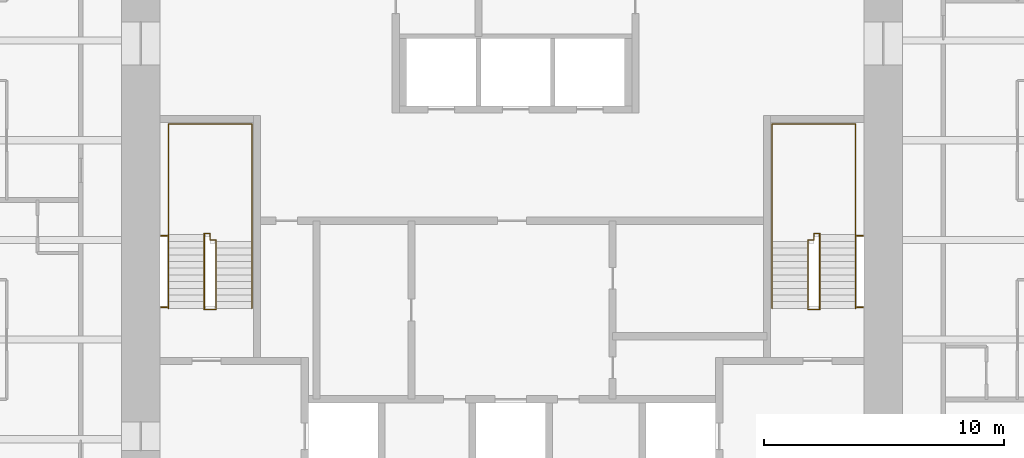
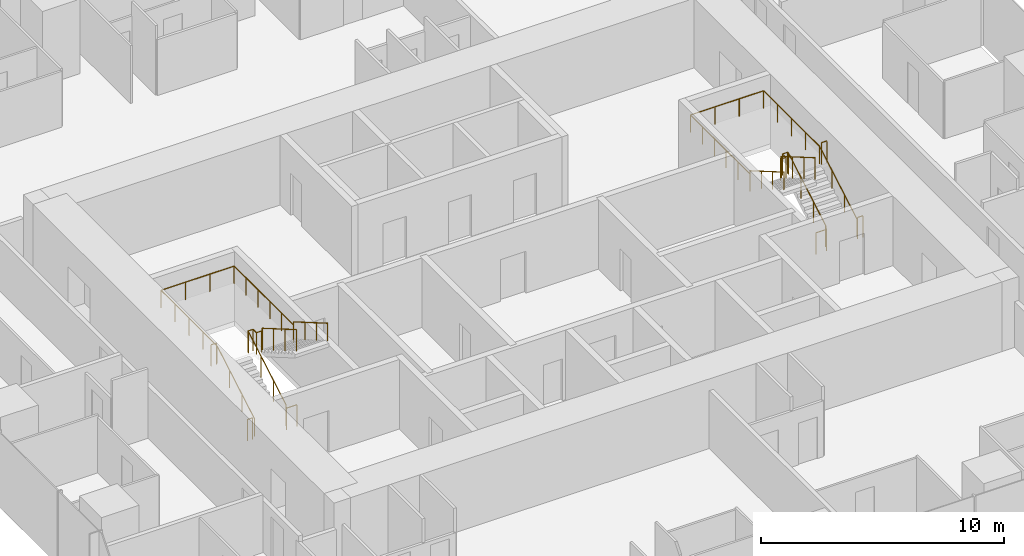
# One storey, part 13 of 13: 8 railings.
"""IFC4 building model written with IfcOpenShell, lengths in metres."""

from ifc_helpers import new_model, si_unit, direction, frame, origin, origin_2d, place, context, subcontext, project, spatial, circle, extrude, material, type_object, element, save


model = new_model("IFC4")

# Units and contexts
model_context = context("Model", 3, precision=1e-05, world=origin(), true_north=direction((0.0, 1.0)))
body_context = subcontext(model_context, "Body", "Model", "MODEL_VIEW")
ifc_project = project(units=[si_unit("LENGTHUNIT", "METRE"), si_unit("AREAUNIT", "SQUARE_METRE"), si_unit("VOLUMEUNIT", "CUBIC_METRE"), si_unit("PLANEANGLEUNIT", "RADIAN"), si_unit("MASSUNIT", "GRAM", prefix="KILO")], contexts=[model_context])

# Site, building, storey
site_placement = place(None, origin())
site = spatial("IfcSite", under=ifc_project, at=site_placement, CompositionType="ELEMENT")
building_placement = place(site_placement, origin())
building = spatial("IfcBuilding", under=site, at=building_placement, Name="Khuree Lantern Residences", CompositionType="ELEMENT")
storey_placement = place(building_placement, frame((0.0, 0.0, 252.0)))
storey = spatial("IfcBuildingStorey", under=building, at=storey_placement, Name="L63", CompositionType="ELEMENT", Elevation=252.0)

# Railings
ifc_material = material(Name="Steel S355", Category="steel")
railing_type_1 = type_object("IfcRailingType", Name="STAIR GUARD G1 1100", PredefinedType="GUARDRAIL", material=ifc_material)
railing_1_placement = place(storey_placement, frame((-12.35009765625, -2.909912109375, 0.0)))
element("IfcRailing", 1, at=railing_1_placement, inside=storey, type_object=railing_type_1, Name="Stair ST1 guard", PredefinedType="GUARDRAIL", context=body_context, shape_type="SweptSolid", body=[
    extrude(circle(Radius=0.02392578125, at=origin_2d()), frame((0.0, 0.0, 1.076171875), z_axis=(-1.0, 0.0, 0.0), x_axis=(0.0, -1.0, 0.0)), (0.0, 0.0, 1.0), 0.5),
    extrude(circle(Radius=0.02392578125, at=origin_2d()), frame((-0.5, 0.0, 1.076171875), z_axis=(0.0, 0.292073035251, 0.95639601739), x_axis=(-1.0, 0.0, 0.0)), (0.0, 0.0, 1.0), 0.17041015625),
    extrude(circle(Radius=0.02392578125, at=origin_2d()), frame((-0.5, 0.0498046875, 1.2392578125), z_axis=(0.0, 0.864176135923, 0.503189433615), x_axis=(-1.0, 0.0, 0.0)), (0.0, 0.0, 1.0), 3.564208984375),
    extrude(circle(Radius=0.02392578125, at=origin_2d()), frame((-0.5, 3.1298828125, 3.03271484375), z_axis=(0.0, 1.0, 0.0), x_axis=(-1.0, 0.0, 0.0)), (0.0, 0.0, 1.0), 0.050048828125),
    extrude(circle(Radius=0.02392578125, at=origin_2d()), frame((-0.5, 3.179931640625, 3.03271484375), z_axis=(1.0, 0.0, 0.0), x_axis=(0.0, 1.0, 0.0)), (0.0, 0.0, 1.0), 0.25),
    extrude(circle(Radius=0.02392578125, at=origin_2d()), frame((-0.25, 3.179931640625, 3.03271484375), z_axis=(0.0, -1.0, 0.0), x_axis=(1.0, 0.0, 0.0)), (0.0, 0.0, 1.0), 0.280029296875),
    extrude(circle(Radius=0.02392578125, at=origin_2d()), frame((-0.25, 2.89990234375, 3.03271484375), z_axis=(1.0, 0.0, 0.0), x_axis=(0.0, 1.0, 0.0)), (0.0, 0.0, 1.0), 0.25),
    extrude(circle(Radius=0.02392578125, at=origin_2d()), frame((0.0, 2.89990234375, 3.03271484375), z_axis=(0.0, -0.293381807449, 0.955995353053), x_axis=(1.0, 0.0, 0.0)), (0.0, 0.0, 1.0), 0.170654296875),
    extrude(circle(Radius=0.02392578125, at=origin_2d()), frame((0.0, 2.849853515625, 3.19580078125), z_axis=(0.0, -0.864180358799, 0.503182181189), x_axis=(1.0, 0.0, 0.0)), (0.0, 0.0, 1.0), 3.240234375),
    extrude(circle(Radius=0.02099609375, at=origin_2d()), origin(), (0.0, 0.0, 1.0), 1.052001953125),
    extrude(circle(Radius=0.02099609375, at=origin_2d()), frame((-0.5, 0.0, 0.0)), (0.0, 0.0, 1.0), 1.052001953125),
    extrude(circle(Radius=0.02099609375, at=origin_2d()), frame((-0.5, 0.0498046875, 0.1630859375)), (0.0, 0.0, 1.0), 1.052001953125),
    extrude(circle(Radius=0.02099609375, at=origin_2d()), frame((-0.5, 1.076416015625, 0.760986328125)), (0.0, 0.0, 1.0), 1.052001953125),
    extrude(circle(Radius=0.02099609375, at=origin_2d()), frame((-0.5, 2.103271484375, 1.358642578125)), (0.0, 0.0, 1.0), 1.052001953125),
    extrude(circle(Radius=0.02099609375, at=origin_2d()), frame((-0.5, 3.1298828125, 1.95654296875)), (0.0, 0.0, 1.0), 1.052001953125),
    extrude(circle(Radius=0.02099609375, at=origin_2d()), frame((-0.5, 3.179931640625, 1.95654296875)), (0.0, 0.0, 1.0), 1.052001953125),
    extrude(circle(Radius=0.02099609375, at=origin_2d()), frame((-0.25, 3.179931640625, 1.95654296875)), (0.0, 0.0, 1.0), 1.052001953125),
    extrude(circle(Radius=0.02099609375, at=origin_2d()), frame((-0.25, 2.89990234375, 1.95654296875)), (0.0, 0.0, 1.0), 1.052001953125),
    extrude(circle(Radius=0.02099609375, at=origin_2d()), frame((0.0, 2.89990234375, 1.95654296875)), (0.0, 0.0, 1.0), 1.052001953125),
    extrude(circle(Radius=0.02099609375, at=origin_2d()), frame((0.0, 2.849853515625, 2.11962890625)), (0.0, 0.0, 1.0), 1.052001953125),
    extrude(circle(Radius=0.02099609375, at=origin_2d()), frame((0.0, 1.91650390625, 2.6630859375)), (0.0, 0.0, 1.0), 1.052001953125),
    extrude(circle(Radius=0.02099609375, at=origin_2d()), frame((0.0, 0.983154296875, 3.20654296875)), (0.0, 0.0, 1.0), 1.052001953125),
    extrude(circle(Radius=0.02099609375, at=origin_2d()), frame((0.0, 0.0498046875, 3.75)), (0.0, 0.0, 1.0), 1.052001953125),
])
for number, where, name in (
    (2, (-14.64990234375, -2.81005859375, 0.0), "Stair ST1 landing slot guard"),
    (3, (-14.64990234375, 0.169921875, 1.95654296875), "Stair ST1 landing slot guard"),
):
    element("IfcRailing", number, at=place(storey_placement, frame(where)), inside=storey, type_object=railing_type_1, Name=name, PredefinedType="GUARDRAIL", context=body_context, shape_type="SweptSolid", body=[
        extrude(circle(Radius=0.02392578125, at=origin_2d()), frame((0.0, 0.0, 1.076171875), z_axis=(1.0, 0.0, 0.0), x_axis=(0.0, 1.0, 0.0)), (0.0, 0.0, 1.0), 0.25),
        extrude(circle(Radius=0.02099609375, at=origin_2d()), origin(), (0.0, 0.0, 1.0), 1.052001953125),
        extrude(circle(Radius=0.02099609375, at=origin_2d()), frame((0.25, 0.0, 0.0)), (0.0, 0.0, 1.0), 1.052001953125),
    ])
railing_2_placement = place(storey_placement, frame((12.35009765625, -2.909912109375, 0.0)))
element("IfcRailing", 4, at=railing_2_placement, inside=storey, type_object=railing_type_1, Name="Stair ST2 guard", PredefinedType="GUARDRAIL", context=body_context, shape_type="SweptSolid", body=[
    extrude(circle(Radius=0.02392578125, at=origin_2d()), frame((0.0, 0.0, 1.076171875), z_axis=(1.0, 0.0, 0.0), x_axis=(0.0, 1.0, 0.0)), (0.0, 0.0, 1.0), 0.5),
    extrude(circle(Radius=0.02392578125, at=origin_2d()), frame((0.5, 0.0, 1.076171875), z_axis=(0.0, 0.292073035251, 0.95639601739), x_axis=(-1.0, 0.0, 0.0)), (0.0, 0.0, 1.0), 0.17041015625),
    extrude(circle(Radius=0.02392578125, at=origin_2d()), frame((0.5, 0.0498046875, 1.2392578125), z_axis=(0.0, 0.864176135923, 0.503189433615), x_axis=(-1.0, 0.0, 0.0)), (0.0, 0.0, 1.0), 3.564208984375),
    extrude(circle(Radius=0.02392578125, at=origin_2d()), frame((0.5, 3.1298828125, 3.03271484375), z_axis=(0.0, 1.0, 0.0), x_axis=(-1.0, 0.0, 0.0)), (0.0, 0.0, 1.0), 0.050048828125),
    extrude(circle(Radius=0.02392578125, at=origin_2d()), frame((0.5, 3.179931640625, 3.03271484375), z_axis=(-1.0, 0.0, 0.0), x_axis=(0.0, -1.0, 0.0)), (0.0, 0.0, 1.0), 0.25),
    extrude(circle(Radius=0.02392578125, at=origin_2d()), frame((0.25, 3.179931640625, 3.03271484375), z_axis=(0.0, -1.0, 0.0), x_axis=(1.0, 0.0, 0.0)), (0.0, 0.0, 1.0), 0.280029296875),
    extrude(circle(Radius=0.02392578125, at=origin_2d()), frame((0.25, 2.89990234375, 3.03271484375), z_axis=(-1.0, 0.0, 0.0), x_axis=(0.0, -1.0, 0.0)), (0.0, 0.0, 1.0), 0.25),
    extrude(circle(Radius=0.02392578125, at=origin_2d()), frame((0.0, 2.89990234375, 3.03271484375), z_axis=(0.0, -0.293381807449, 0.955995353053), x_axis=(1.0, 0.0, 0.0)), (0.0, 0.0, 1.0), 0.170654296875),
    extrude(circle(Radius=0.02392578125, at=origin_2d()), frame((0.0, 2.849853515625, 3.19580078125), z_axis=(0.0, -0.864180358799, 0.503182181189), x_axis=(1.0, 0.0, 0.0)), (0.0, 0.0, 1.0), 3.240234375),
    extrude(circle(Radius=0.02099609375, at=origin_2d()), origin(), (0.0, 0.0, 1.0), 1.052001953125),
    extrude(circle(Radius=0.02099609375, at=origin_2d()), frame((0.5, 0.0, 0.0)), (0.0, 0.0, 1.0), 1.052001953125),
    extrude(circle(Radius=0.02099609375, at=origin_2d()), frame((0.5, 0.0498046875, 0.1630859375)), (0.0, 0.0, 1.0), 1.052001953125),
    extrude(circle(Radius=0.02099609375, at=origin_2d()), frame((0.5, 1.076416015625, 0.760986328125)), (0.0, 0.0, 1.0), 1.052001953125),
    extrude(circle(Radius=0.02099609375, at=origin_2d()), frame((0.5, 2.103271484375, 1.358642578125)), (0.0, 0.0, 1.0), 1.052001953125),
    extrude(circle(Radius=0.02099609375, at=origin_2d()), frame((0.5, 3.1298828125, 1.95654296875)), (0.0, 0.0, 1.0), 1.052001953125),
    extrude(circle(Radius=0.02099609375, at=origin_2d()), frame((0.5, 3.179931640625, 1.95654296875)), (0.0, 0.0, 1.0), 1.052001953125),
    extrude(circle(Radius=0.02099609375, at=origin_2d()), frame((0.25, 3.179931640625, 1.95654296875)), (0.0, 0.0, 1.0), 1.052001953125),
    extrude(circle(Radius=0.02099609375, at=origin_2d()), frame((0.25, 2.89990234375, 1.95654296875)), (0.0, 0.0, 1.0), 1.052001953125),
    extrude(circle(Radius=0.02099609375, at=origin_2d()), frame((0.0, 2.89990234375, 1.95654296875)), (0.0, 0.0, 1.0), 1.052001953125),
    extrude(circle(Radius=0.02099609375, at=origin_2d()), frame((0.0, 2.849853515625, 2.11962890625)), (0.0, 0.0, 1.0), 1.052001953125),
    extrude(circle(Radius=0.02099609375, at=origin_2d()), frame((0.0, 1.91650390625, 2.6630859375)), (0.0, 0.0, 1.0), 1.052001953125),
    extrude(circle(Radius=0.02099609375, at=origin_2d()), frame((0.0, 0.983154296875, 3.20654296875)), (0.0, 0.0, 1.0), 1.052001953125),
    extrude(circle(Radius=0.02099609375, at=origin_2d()), frame((0.0, 0.0498046875, 3.75)), (0.0, 0.0, 1.0), 1.052001953125),
])
for number, where, name in (
    (5, (14.64990234375, -2.81005859375, 0.0), "Stair ST2 landing slot guard"),
    (6, (14.64990234375, 0.169921875, 1.95654296875), "Stair ST2 landing slot guard"),
):
    element("IfcRailing", number, at=place(storey_placement, frame(where)), inside=storey, type_object=railing_type_1, Name=name, PredefinedType="GUARDRAIL", context=body_context, shape_type="SweptSolid", body=[
        extrude(circle(Radius=0.02392578125, at=origin_2d()), frame((0.0, 0.0, 1.076171875), z_axis=(-1.0, 0.0, 0.0), x_axis=(0.0, -1.0, 0.0)), (0.0, 0.0, 1.0), 0.25),
        extrude(circle(Radius=0.02099609375, at=origin_2d()), origin(), (0.0, 0.0, 1.0), 1.052001953125),
        extrude(circle(Radius=0.02099609375, at=origin_2d()), frame((-0.25, 0.0, 0.0)), (0.0, 0.0, 1.0), 1.052001953125),
    ])
railing_type_2 = type_object("IfcRailingType", Name="STAIR HANDRAIL H1 900", PredefinedType="HANDRAIL", material=ifc_material)
railing_3_placement = place(storey_placement, frame((-14.340087890625, -2.860107421875, 0.1630859375)))
element("IfcRailing", 7, at=railing_3_placement, inside=storey, type_object=railing_type_2, Name="Stair ST1 handrail", PredefinedType="HANDRAIL", context=body_context, shape_type="SweptSolid", body=[
    extrude(circle(Radius=0.02392578125, at=origin_2d()), frame((0.0, 0.0, 0.8759765625), z_axis=(0.0, 0.864176135923, 0.503189433615), x_axis=(-1.0, 0.0, 0.0)), (0.0, 0.0, 1.0), 3.564208984375),
    extrude(circle(Radius=0.02392578125, at=origin_2d()), frame((0.0, 3.080078125, 2.66943359375), z_axis=(0.0, 1.0, 0.0), x_axis=(-1.0, 0.0, 0.0)), (0.0, 0.0, 1.0), 4.6201171875),
    extrude(circle(Radius=0.02392578125, at=origin_2d()), frame((0.0, 7.7001953125, 2.66943359375), z_axis=(1.0, 0.0, 0.0), x_axis=(0.0, 1.0, 0.0)), (0.0, 0.0, 1.0), 3.47998046875),
    extrude(circle(Radius=0.02392578125, at=origin_2d()), frame((3.47998046875, 7.7001953125, 2.66943359375), z_axis=(0.0, -1.0, 0.0), x_axis=(1.0, 0.0, 0.0)), (0.0, 0.0, 1.0), 4.900146484375),
    extrude(circle(Radius=0.02392578125, at=origin_2d()), frame((3.47998046875, 2.800048828125, 2.66943359375), z_axis=(0.0, 0.0, 1.0), x_axis=(1.0, 0.0, 0.0)), (0.0, 0.0, 1.0), 0.1630859375),
    extrude(circle(Radius=0.02392578125, at=origin_2d()), frame((3.47998046875, 2.800048828125, 2.83251953125), z_axis=(0.0, -0.864180358799, 0.503182181189), x_axis=(1.0, 0.0, 0.0)), (0.0, 0.0, 1.0), 3.240234375),
    extrude(circle(Radius=0.02099609375, at=origin_2d()), origin(), (0.0, 0.0, 1.0), 0.851806640625),
    extrude(circle(Radius=0.02099609375, at=origin_2d()), frame((0.0, 1.026611328125, 0.597900390625)), (0.0, 0.0, 1.0), 0.851806640625),
    extrude(circle(Radius=0.02099609375, at=origin_2d()), frame((0.0, 2.053466796875, 1.195556640625)), (0.0, 0.0, 1.0), 0.851806640625),
    extrude(circle(Radius=0.02099609375, at=origin_2d()), frame((0.0, 3.080078125, 1.79345703125)), (0.0, 0.0, 1.0), 0.851806640625),
    extrude(circle(Radius=0.02099609375, at=origin_2d()), frame((0.0, 4.235107421875, 1.79345703125)), (0.0, 0.0, 1.0), 0.851806640625),
    extrude(circle(Radius=0.02099609375, at=origin_2d()), frame((0.0, 5.39013671875, 1.79345703125)), (0.0, 0.0, 1.0), 0.851806640625),
    extrude(circle(Radius=0.02099609375, at=origin_2d()), frame((0.0, 6.545166015625, 1.79345703125)), (0.0, 0.0, 1.0), 0.851806640625),
    extrude(circle(Radius=0.02099609375, at=origin_2d()), frame((0.0, 7.7001953125, 1.79345703125)), (0.0, 0.0, 1.0), 0.851806640625),
    extrude(circle(Radius=0.02099609375, at=origin_2d()), frame((1.159912109375, 7.7001953125, 1.79345703125)), (0.0, 0.0, 1.0), 0.851806640625),
    extrude(circle(Radius=0.02099609375, at=origin_2d()), frame((2.320068359375, 7.7001953125, 1.79345703125)), (0.0, 0.0, 1.0), 0.851806640625),
    extrude(circle(Radius=0.02099609375, at=origin_2d()), frame((3.47998046875, 7.7001953125, 1.79345703125)), (0.0, 0.0, 1.0), 0.851806640625),
    extrude(circle(Radius=0.02099609375, at=origin_2d()), frame((3.47998046875, 6.72021484375, 1.79345703125)), (0.0, 0.0, 1.0), 0.851806640625),
    extrude(circle(Radius=0.02099609375, at=origin_2d()), frame((3.47998046875, 5.740234375, 1.79345703125)), (0.0, 0.0, 1.0), 0.851806640625),
    extrude(circle(Radius=0.02099609375, at=origin_2d()), frame((3.47998046875, 4.760009765625, 1.79345703125)), (0.0, 0.0, 1.0), 0.851806640625),
    extrude(circle(Radius=0.02099609375, at=origin_2d()), frame((3.47998046875, 3.780029296875, 1.79345703125)), (0.0, 0.0, 1.0), 0.851806640625),
    extrude(circle(Radius=0.02099609375, at=origin_2d()), frame((3.47998046875, 2.800048828125, 1.79345703125)), (0.0, 0.0, 1.0), 0.851806640625),
    extrude(circle(Radius=0.02099609375, at=origin_2d()), frame((3.47998046875, 2.800048828125, 1.95654296875)), (0.0, 0.0, 1.0), 0.851806640625),
    extrude(circle(Radius=0.02099609375, at=origin_2d()), frame((3.47998046875, 1.86669921875, 2.5)), (0.0, 0.0, 1.0), 0.851806640625),
    extrude(circle(Radius=0.02099609375, at=origin_2d()), frame((3.47998046875, 0.933349609375, 3.04345703125)), (0.0, 0.0, 1.0), 0.851806640625),
    extrude(circle(Radius=0.02099609375, at=origin_2d()), frame((3.47998046875, 0.0, 3.5869140625)), (0.0, 0.0, 1.0), 0.851806640625),
])
railing_4_placement = place(storey_placement, frame((14.340087890625, -2.860107421875, 0.1630859375)))
element("IfcRailing", 8, at=railing_4_placement, inside=storey, type_object=railing_type_2, Name="Stair ST2 handrail", PredefinedType="HANDRAIL", context=body_context, shape_type="SweptSolid", body=[
    extrude(circle(Radius=0.02392578125, at=origin_2d()), frame((0.0, 0.0, 0.8759765625), z_axis=(0.0, 0.864176135923, 0.503189433615), x_axis=(-1.0, 0.0, 0.0)), (0.0, 0.0, 1.0), 3.564208984375),
    extrude(circle(Radius=0.02392578125, at=origin_2d()), frame((0.0, 3.080078125, 2.66943359375), z_axis=(0.0, 1.0, 0.0), x_axis=(-1.0, 0.0, 0.0)), (0.0, 0.0, 1.0), 4.6201171875),
    extrude(circle(Radius=0.02392578125, at=origin_2d()), frame((0.0, 7.7001953125, 2.66943359375), z_axis=(-1.0, 0.0, 0.0), x_axis=(0.0, -1.0, 0.0)), (0.0, 0.0, 1.0), 3.47998046875),
    extrude(circle(Radius=0.02392578125, at=origin_2d()), frame((-3.47998046875, 7.7001953125, 2.66943359375), z_axis=(0.0, -1.0, 0.0), x_axis=(1.0, 0.0, 0.0)), (0.0, 0.0, 1.0), 4.900146484375),
    extrude(circle(Radius=0.02392578125, at=origin_2d()), frame((-3.47998046875, 2.800048828125, 2.66943359375), z_axis=(0.0, 0.0, 1.0), x_axis=(1.0, 0.0, 0.0)), (0.0, 0.0, 1.0), 0.1630859375),
    extrude(circle(Radius=0.02392578125, at=origin_2d()), frame((-3.47998046875, 2.800048828125, 2.83251953125), z_axis=(0.0, -0.864180358799, 0.503182181189), x_axis=(1.0, 0.0, 0.0)), (0.0, 0.0, 1.0), 3.240234375),
    extrude(circle(Radius=0.02099609375, at=origin_2d()), origin(), (0.0, 0.0, 1.0), 0.851806640625),
    extrude(circle(Radius=0.02099609375, at=origin_2d()), frame((0.0, 1.026611328125, 0.597900390625)), (0.0, 0.0, 1.0), 0.851806640625),
    extrude(circle(Radius=0.02099609375, at=origin_2d()), frame((0.0, 2.053466796875, 1.195556640625)), (0.0, 0.0, 1.0), 0.851806640625),
    extrude(circle(Radius=0.02099609375, at=origin_2d()), frame((0.0, 3.080078125, 1.79345703125)), (0.0, 0.0, 1.0), 0.851806640625),
    extrude(circle(Radius=0.02099609375, at=origin_2d()), frame((0.0, 4.235107421875, 1.79345703125)), (0.0, 0.0, 1.0), 0.851806640625),
    extrude(circle(Radius=0.02099609375, at=origin_2d()), frame((0.0, 5.39013671875, 1.79345703125)), (0.0, 0.0, 1.0), 0.851806640625),
    extrude(circle(Radius=0.02099609375, at=origin_2d()), frame((0.0, 6.545166015625, 1.79345703125)), (0.0, 0.0, 1.0), 0.851806640625),
    extrude(circle(Radius=0.02099609375, at=origin_2d()), frame((0.0, 7.7001953125, 1.79345703125)), (0.0, 0.0, 1.0), 0.851806640625),
    extrude(circle(Radius=0.02099609375, at=origin_2d()), frame((-1.159912109375, 7.7001953125, 1.79345703125)), (0.0, 0.0, 1.0), 0.851806640625),
    extrude(circle(Radius=0.02099609375, at=origin_2d()), frame((-2.320068359375, 7.7001953125, 1.79345703125)), (0.0, 0.0, 1.0), 0.851806640625),
    extrude(circle(Radius=0.02099609375, at=origin_2d()), frame((-3.47998046875, 7.7001953125, 1.79345703125)), (0.0, 0.0, 1.0), 0.851806640625),
    extrude(circle(Radius=0.02099609375, at=origin_2d()), frame((-3.47998046875, 6.72021484375, 1.79345703125)), (0.0, 0.0, 1.0), 0.851806640625),
    extrude(circle(Radius=0.02099609375, at=origin_2d()), frame((-3.47998046875, 5.740234375, 1.79345703125)), (0.0, 0.0, 1.0), 0.851806640625),
    extrude(circle(Radius=0.02099609375, at=origin_2d()), frame((-3.47998046875, 4.760009765625, 1.79345703125)), (0.0, 0.0, 1.0), 0.851806640625),
    extrude(circle(Radius=0.02099609375, at=origin_2d()), frame((-3.47998046875, 3.780029296875, 1.79345703125)), (0.0, 0.0, 1.0), 0.851806640625),
    extrude(circle(Radius=0.02099609375, at=origin_2d()), frame((-3.47998046875, 2.800048828125, 1.79345703125)), (0.0, 0.0, 1.0), 0.851806640625),
    extrude(circle(Radius=0.02099609375, at=origin_2d()), frame((-3.47998046875, 2.800048828125, 1.95654296875)), (0.0, 0.0, 1.0), 0.851806640625),
    extrude(circle(Radius=0.02099609375, at=origin_2d()), frame((-3.47998046875, 1.86669921875, 2.5)), (0.0, 0.0, 1.0), 0.851806640625),
    extrude(circle(Radius=0.02099609375, at=origin_2d()), frame((-3.47998046875, 0.933349609375, 3.04345703125)), (0.0, 0.0, 1.0), 0.851806640625),
    extrude(circle(Radius=0.02099609375, at=origin_2d()), frame((-3.47998046875, 0.0, 3.5869140625)), (0.0, 0.0, 1.0), 0.851806640625),
])

save(model, "model.ifc")
